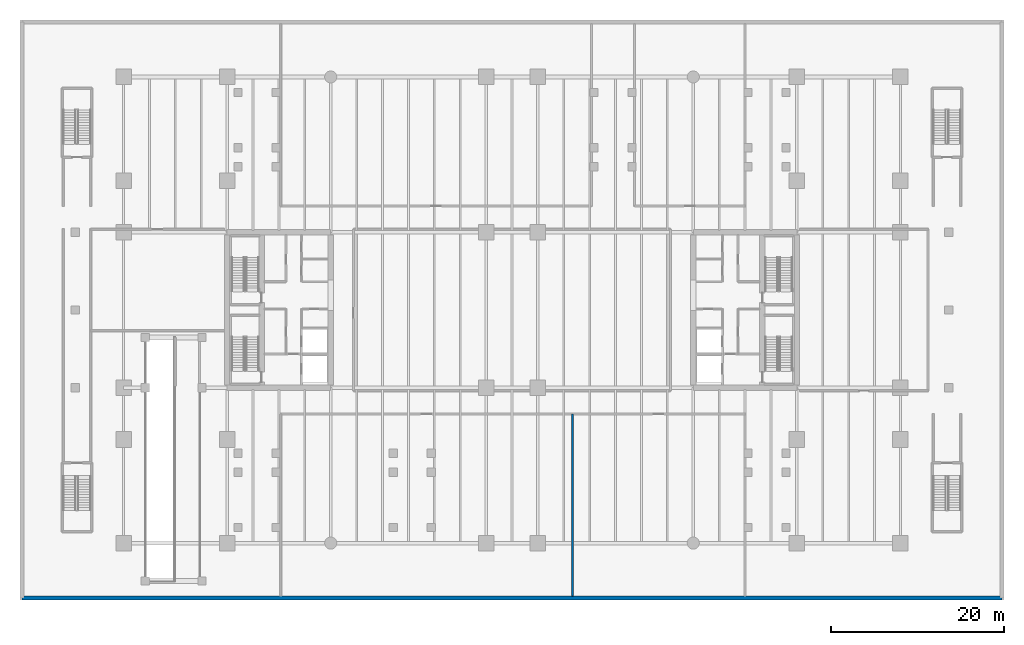
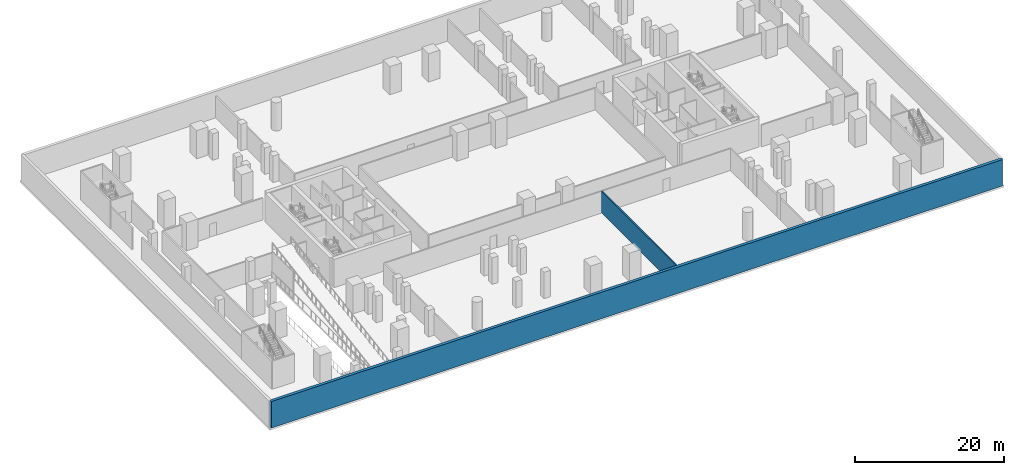
# One storey, part 4 of 13: 2 walls.
"""IFC4 building model written with IfcOpenShell, lengths in metres."""

from ifc_helpers import new_model, si_unit, direction, frame, frame_2d, origin, place, context, subcontext, project, spatial, rectangle, extrude, material, layer, layer_set, type_object, element, save


model = new_model("IFC4")

# Units and contexts
model_context = context("Model", 3, precision=1e-05, world=origin(), true_north=direction((0.0, 1.0)))
body_context = subcontext(model_context, "Body", "Model", "MODEL_VIEW")
ifc_project = project(units=[si_unit("LENGTHUNIT", "METRE"), si_unit("AREAUNIT", "SQUARE_METRE"), si_unit("VOLUMEUNIT", "CUBIC_METRE"), si_unit("PLANEANGLEUNIT", "RADIAN"), si_unit("MASSUNIT", "GRAM", prefix="KILO")], contexts=[model_context])

# Site, building, storey
site_placement = place(None, origin())
site = spatial("IfcSite", under=ifc_project, at=site_placement, CompositionType="ELEMENT")
building_placement = place(site_placement, origin())
building = spatial("IfcBuilding", under=site, at=building_placement, Name="Tanjung Sevakor Pilgrim Tower", CompositionType="ELEMENT")
storey_placement = place(building_placement, frame((0.0, 0.0, -4.6201171875)))
storey = spatial("IfcBuildingStorey", under=building, at=storey_placement, Name="B01", CompositionType="ELEMENT", Elevation=-4.6201171875)

# Walls
ifc_material_1 = material(Name="Concrete C40/50", Category="concrete")
ifc_layer_1 = layer(ifc_material_1, 0.199951171875)
ifc_layer_set_1 = layer_set([ifc_layer_1], Name="WT-FPRT-200")
wall_type_1 = type_object("IfcWallType", Name="WT-FPRT-200", PredefinedType="SOLIDWALL", material=ifc_layer_set_1)
wall_1_placement = place(storey_placement, frame((64.0, 0.449951171875, 0.0), z_axis=(0.0, 0.0, 1.0), x_axis=(0.0, 1.0, 0.0)))
element("IfcWall", 1, at=wall_1_placement, inside=storey, type_object=wall_type_1, Name="B01 Partition IW-B01-037", PredefinedType="SOLIDWALL", context=body_context, shape_type="SweptSolid", body=[
    extrude(rectangle(XDim=21.10009765625, YDim=0.199951171875, at=frame_2d((10.550048828125, 0.0))), origin(), (0.0, 0.0, 1.0), 3.56005859375),
])
ifc_material_2 = material(Name="Concrete C50/60", Category="concrete")
ifc_layer_2 = layer(ifc_material_2, 0.449951171875)
ifc_layer_set_2 = layer_set([ifc_layer_2], Name="WT-RET-450")
wall_type_2 = type_object("IfcWallType", Name="WT-RET-450", PredefinedType="USERDEFINED", material=ifc_layer_set_2)
wall_2_placement = place(storey_placement, frame((0.22509765625, 0.22509765625, 0.0), z_axis=(0.0, 0.0, 1.0), x_axis=(1.0, 0.0, 0.0)))
element("IfcWall", 2, at=wall_2_placement, inside=storey, type_object=wall_type_2, Name="B01 Perimeter Retaining Wall 1", ObjectType="RETAININGWALL", PredefinedType="USERDEFINED", context=body_context, shape_type="SweptSolid", body=[
    extrude(rectangle(XDim=113.5498046875, YDim=0.449951171875, at=frame_2d((56.77490234375, 0.0))), origin(), (0.0, 0.0, 1.0), 4.340087890625),
])

save(model, "model.ifc")
